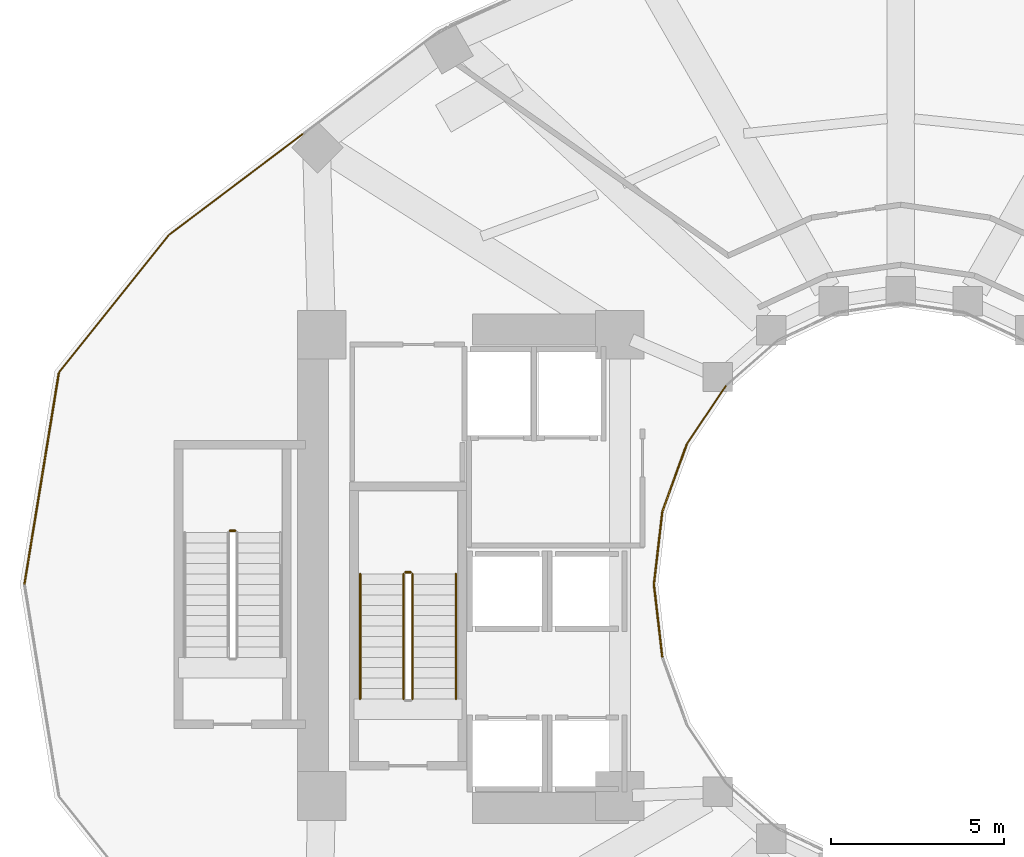
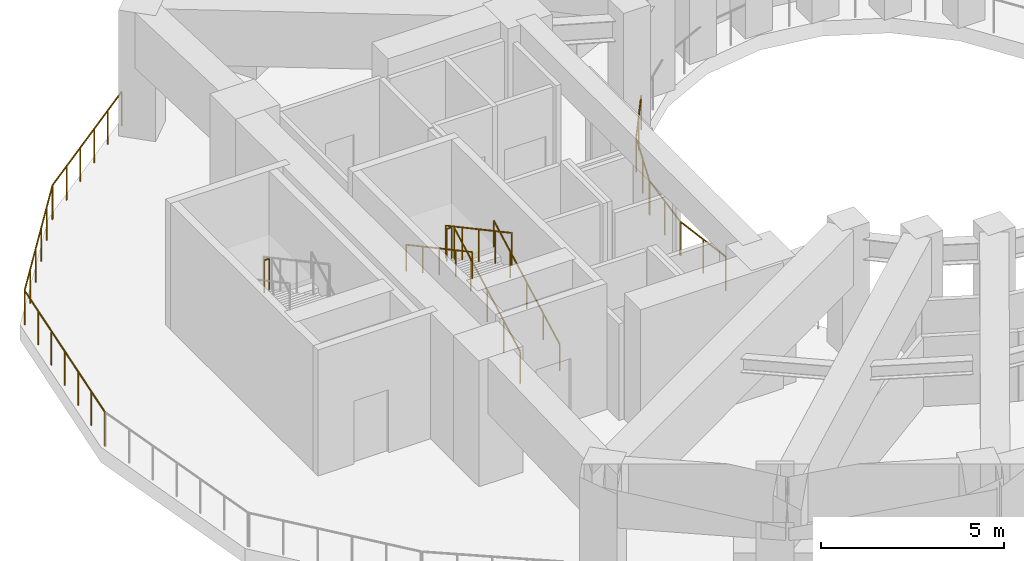
# One storey, part 7 of 10: 13 railings.
"""IFC4 building model written with IfcOpenShell, lengths in metres."""

from ifc_helpers import new_model, si_unit, direction, frame, origin, origin_2d, place, context, subcontext, project, spatial, circle, extrude, material, type_object, element, save


model = new_model("IFC4")

# Units and contexts
model_context = context("Model", 3, precision=1e-05, world=origin(), true_north=direction((0.0, 1.0)))
body_context = subcontext(model_context, "Body", "Model", "MODEL_VIEW")
ifc_project = project(units=[si_unit("LENGTHUNIT", "METRE"), si_unit("AREAUNIT", "SQUARE_METRE"), si_unit("VOLUMEUNIT", "CUBIC_METRE"), si_unit("PLANEANGLEUNIT", "RADIAN"), si_unit("MASSUNIT", "GRAM", prefix="KILO")], contexts=[model_context])

# Site, building, storey
site_placement = place(None, origin())
site = spatial("IfcSite", under=ifc_project, at=site_placement, CompositionType="ELEMENT")
building_placement = place(site_placement, origin())
building = spatial("IfcBuilding", under=site, at=building_placement, Name="Solvane Sanctuary Tower", CompositionType="ELEMENT")
storey_placement = place(building_placement, frame((0.0, 0.0, 69.0)))
storey = spatial("IfcBuildingStorey", under=building, at=storey_placement, Name="L20", CompositionType="ELEMENT", Elevation=69.0)

# Railings
ifc_material = material(Name="Architectural Stainless Steel 316", Category="steel")
railing_type_1 = type_object("IfcRailingType", Name="Railing GR-BALC-1150", PredefinedType="BALUSTRADE", material=ifc_material)
railing_1_placement = place(storey_placement, frame((14.754638671875, 35.989990234375, 0.0)))
element("IfcRailing", 1, at=railing_1_placement, inside=storey, type_object=railing_type_1, Name="L20 Open Void-Portal Perimeter Balustrade 09", PredefinedType="BALUSTRADE", context=body_context, shape_type="SweptSolid", body=[
    extrude(circle(Radius=0.02392578125, at=origin_2d()), frame((0.0, 0.0, 1.1259765625), z_axis=(-0.798476908887, -0.602025436318, 0.0), x_axis=(0.602025436318, -0.798476908887, 0.0)), (0.0, 0.0, 1.0), 4.81689453125),
    extrude(circle(Radius=0.02099609375, at=origin_2d()), origin(), (0.0, 0.0, 1.0), 1.101806640625),
    extrude(circle(Radius=0.02099609375, at=origin_2d()), frame((-0.769287109375, -0.580078125, 0.0)), (0.0, 0.0, 1.0), 1.101806640625),
    extrude(circle(Radius=0.02099609375, at=origin_2d()), frame((-1.53857421875, -1.159912109375, 0.0)), (0.0, 0.0, 1.0), 1.101806640625),
    extrude(circle(Radius=0.02099609375, at=origin_2d()), frame((-2.3076171875, -1.739990234375, 0.0)), (0.0, 0.0, 1.0), 1.101806640625),
    extrude(circle(Radius=0.02099609375, at=origin_2d()), frame((-3.076904296875, -2.31982421875, 0.0)), (0.0, 0.0, 1.0), 1.101806640625),
    extrude(circle(Radius=0.02099609375, at=origin_2d()), frame((-3.84619140625, -2.89990234375, 0.0)), (0.0, 0.0, 1.0), 1.101806640625),
])
railing_2_placement = place(storey_placement, frame((10.8798828125, 33.0625, 0.0)))
element("IfcRailing", 2, at=railing_2_placement, inside=storey, type_object=railing_type_1, Name="L20 Open Void-Portal Perimeter Balustrade 10", PredefinedType="BALUSTRADE", context=body_context, shape_type="SweptSolid", body=[
    extrude(circle(Radius=0.02392578125, at=origin_2d()), frame((0.0, 0.0, 1.1259765625), z_axis=(-0.624458517419, -0.781057974815, 0.0), x_axis=(0.781057974815, -0.624458517419, 0.0)), (0.0, 0.0, 1.0), 5.03564453125),
    extrude(circle(Radius=0.02099609375, at=origin_2d()), origin(), (0.0, 0.0, 1.0), 1.101806640625),
    extrude(circle(Radius=0.02099609375, at=origin_2d()), frame((-0.62890625, -0.78662109375, 0.0)), (0.0, 0.0, 1.0), 1.101806640625),
    extrude(circle(Radius=0.02099609375, at=origin_2d()), frame((-1.2578125, -1.5732421875, 0.0)), (0.0, 0.0, 1.0), 1.101806640625),
    extrude(circle(Radius=0.02099609375, at=origin_2d()), frame((-1.88671875, -2.35986328125, 0.0)), (0.0, 0.0, 1.0), 1.101806640625),
    extrude(circle(Radius=0.02099609375, at=origin_2d()), frame((-2.515625, -3.146484375, 0.0)), (0.0, 0.0, 1.0), 1.101806640625),
    extrude(circle(Radius=0.02099609375, at=origin_2d()), frame((-3.14453125, -3.93310546875, 0.0)), (0.0, 0.0, 1.0), 1.101806640625),
])
railing_3_placement = place(storey_placement, frame((7.7197265625, 29.09423828125, 0.0)))
element("IfcRailing", 3, at=railing_3_placement, inside=storey, type_object=railing_type_1, Name="L20 Open Void-Portal Perimeter Balustrade 11", PredefinedType="BALUSTRADE", context=body_context, shape_type="SweptSolid", body=[
    extrude(circle(Radius=0.02392578125, at=origin_2d()), frame((0.0, 0.0, 1.1259765625), z_axis=(-0.160776256298, -0.986990879092, 0.0), x_axis=(0.986990879092, -0.160776256298, 0.0)), (0.0, 0.0, 1.0), 6.154541015625),
    extrude(circle(Radius=0.02099609375, at=origin_2d()), origin(), (0.0, 0.0, 1.0), 1.101806640625),
    extrude(circle(Radius=0.02099609375, at=origin_2d()), frame((-0.1650390625, -1.012451171875, 0.0)), (0.0, 0.0, 1.0), 1.101806640625),
    extrude(circle(Radius=0.02099609375, at=origin_2d()), frame((-0.329833984375, -2.02490234375, 0.0)), (0.0, 0.0, 1.0), 1.101806640625),
    extrude(circle(Radius=0.02099609375, at=origin_2d()), frame((-0.49462890625, -3.037109375, 0.0)), (0.0, 0.0, 1.0), 1.101806640625),
    extrude(circle(Radius=0.02099609375, at=origin_2d()), frame((-0.65966796875, -4.049560546875, 0.0)), (0.0, 0.0, 1.0), 1.101806640625),
    extrude(circle(Radius=0.02099609375, at=origin_2d()), frame((-0.82470703125, -5.06201171875, 0.0)), (0.0, 0.0, 1.0), 1.101806640625),
    extrude(circle(Radius=0.02099609375, at=origin_2d()), frame((-0.989501953125, -6.074462890625, 0.0)), (0.0, 0.0, 1.0), 1.101806640625),
])
railing_4_placement = place(storey_placement, frame((17.919921875, 19.699951171875, 0.16162109375)))
element("IfcRailing", 4, at=railing_4_placement, inside=storey, type_object=railing_type_1, Name="L20 ST-1 stair guard 1", PredefinedType="BALUSTRADE", context=body_context, shape_type="SweptSolid", body=[
    extrude(circle(Radius=0.02392578125, at=origin_2d()), frame((0.0, 0.0, 1.076171875), z_axis=(0.0, 0.880474934443, 0.474092701714), x_axis=(-1.0, 0.0, 0.0)), (0.0, 0.0, 1.0), 4.0888671875),
    extrude(circle(Radius=0.02099609375, at=origin_2d()), origin(), (0.0, 0.0, 1.0), 1.052001953125),
    extrude(circle(Radius=0.02099609375, at=origin_2d()), frame((0.0, 0.89990234375, 0.484619140625)), (0.0, 0.0, 1.0), 1.052001953125),
    extrude(circle(Radius=0.02099609375, at=origin_2d()), frame((0.0, 1.800048828125, 0.96923828125)), (0.0, 0.0, 1.0), 1.052001953125),
    extrude(circle(Radius=0.02099609375, at=origin_2d()), frame((0.0, 2.7001953125, 1.453857421875)), (0.0, 0.0, 1.0), 1.052001953125),
    extrude(circle(Radius=0.02099609375, at=origin_2d()), frame((0.0, 3.60009765625, 1.9384765625)), (0.0, 0.0, 1.0), 1.052001953125),
])
railing_5_placement = place(storey_placement, frame((17.8701171875, 23.35009765625, 2.10009765625)))
element("IfcRailing", 5, at=railing_5_placement, inside=storey, type_object=railing_type_1, Name="L20 ST-1 stair guard 2", PredefinedType="BALUSTRADE", context=body_context, shape_type="SweptSolid", body=[
    extrude(circle(Radius=0.02392578125, at=origin_2d()), frame((0.0, 0.0, 1.076171875), z_axis=(-1.0, 0.0, 0.0), x_axis=(0.0, -1.0, 0.0)), (0.0, 0.0, 1.0), 0.16015625),
    extrude(circle(Radius=0.02099609375, at=origin_2d()), origin(), (0.0, 0.0, 1.0), 1.052001953125),
    extrude(circle(Radius=0.02099609375, at=origin_2d()), frame((-0.16015625, 0.0, 0.0)), (0.0, 0.0, 1.0), 1.052001953125),
])
railing_6_placement = place(storey_placement, frame((17.659912109375, 23.300048828125, 2.261474609375)))
element("IfcRailing", 6, at=railing_6_placement, inside=storey, type_object=railing_type_1, Name="L20 ST-1 stair guard 3", PredefinedType="BALUSTRADE", context=body_context, shape_type="SweptSolid", body=[
    extrude(circle(Radius=0.02392578125, at=origin_2d()), frame((0.0, 0.0, 1.076171875), z_axis=(0.0, -0.880474934443, 0.474092701714), x_axis=(1.0, 0.0, 0.0)), (0.0, 0.0, 1.0), 4.0888671875),
    extrude(circle(Radius=0.02099609375, at=origin_2d()), origin(), (0.0, 0.0, 1.0), 1.052001953125),
    extrude(circle(Radius=0.02099609375, at=origin_2d()), frame((0.0, -0.89990234375, 0.484619140625)), (0.0, 0.0, 1.0), 1.052001953125),
    extrude(circle(Radius=0.02099609375, at=origin_2d()), frame((0.0, -1.800048828125, 0.96923828125)), (0.0, 0.0, 1.0), 1.052001953125),
    extrude(circle(Radius=0.02099609375, at=origin_2d()), frame((0.0, -2.7001953125, 1.453857421875)), (0.0, 0.0, 1.0), 1.052001953125),
    extrude(circle(Radius=0.02099609375, at=origin_2d()), frame((0.0, -3.60009765625, 1.9384765625)), (0.0, 0.0, 1.0), 1.052001953125),
])
railing_7_placement = place(storey_placement, frame((12.81005859375, 24.550048828125, 2.10009765625)))
element("IfcRailing", 7, at=railing_7_placement, inside=storey, type_object=railing_type_1, Name="L20 ST-3 stair guard 2", PredefinedType="BALUSTRADE", context=body_context, shape_type="SweptSolid", body=[
    extrude(circle(Radius=0.02392578125, at=origin_2d()), frame((0.0, 0.0, 1.076171875), z_axis=(-1.0, 0.0, 0.0), x_axis=(0.0, -1.0, 0.0)), (0.0, 0.0, 1.0), 0.16015625),
    extrude(circle(Radius=0.02099609375, at=origin_2d()), origin(), (0.0, 0.0, 1.0), 1.052001953125),
    extrude(circle(Radius=0.02099609375, at=origin_2d()), frame((-0.16015625, 0.0, 0.0)), (0.0, 0.0, 1.0), 1.052001953125),
])
railing_type_2 = type_object("IfcRailingType", Name="Railing GR-WELL-1150", PredefinedType="GUARDRAIL", material=ifc_material)
railing_8_placement = place(storey_placement, frame((26.9541015625, 28.72509765625, 0.0)))
element("IfcRailing", 8, at=railing_8_placement, inside=storey, type_object=railing_type_2, Name="L20 Open Refuge Light-Well Guardrail 09", PredefinedType="GUARDRAIL", context=body_context, shape_type="SweptSolid", body=[
    extrude(circle(Radius=0.02392578125, at=origin_2d()), frame((0.0, 0.0, 1.1259765625), z_axis=(-0.558155157445, -0.829736596889, 0.0), x_axis=(0.829736596889, -0.558155157445, 0.0)), (0.0, 0.0, 1.0), 1.98681640625),
    extrude(circle(Radius=0.02099609375, at=origin_2d()), origin(), (0.0, 0.0, 1.0), 1.101806640625),
    extrude(circle(Radius=0.02099609375, at=origin_2d()), frame((-0.554443359375, -0.82421875, 0.0)), (0.0, 0.0, 1.0), 1.101806640625),
    extrude(circle(Radius=0.02099609375, at=origin_2d()), frame((-1.10888671875, -1.6484375, 0.0)), (0.0, 0.0, 1.0), 1.101806640625),
])
railing_9_placement = place(storey_placement, frame((25.8271484375, 27.041259765625, 0.0)))
element("IfcRailing", 9, at=railing_9_placement, inside=storey, type_object=railing_type_2, Name="L20 Open Refuge Light-Well Guardrail 10", PredefinedType="GUARDRAIL", context=body_context, shape_type="SweptSolid", body=[
    extrude(circle(Radius=0.02392578125, at=origin_2d()), frame((0.0, 0.0, 1.1259765625), z_axis=(-0.341416925197, -0.93991195502, 0.0), x_axis=(0.93991195502, -0.341416925197, 0.0)), (0.0, 0.0, 1.0), 2.043701171875),
    extrude(circle(Radius=0.02099609375, at=origin_2d()), origin(), (0.0, 0.0, 1.0), 1.101806640625),
    extrude(circle(Radius=0.02099609375, at=origin_2d()), frame((-0.348876953125, -0.96044921875, 0.0)), (0.0, 0.0, 1.0), 1.101806640625),
    extrude(circle(Radius=0.02099609375, at=origin_2d()), frame((-0.69775390625, -1.9208984375, 0.0)), (0.0, 0.0, 1.0), 1.101806640625),
])
railing_10_placement = place(storey_placement, frame((25.120361328125, 25.081787109375, 0.0)))
element("IfcRailing", 10, at=railing_10_placement, inside=storey, type_object=railing_type_2, Name="L20 Open Refuge Light-Well Guardrail 11", PredefinedType="GUARDRAIL", context=body_context, shape_type="SweptSolid", body=[
    extrude(circle(Radius=0.02392578125, at=origin_2d()), frame((0.0, 0.0, 1.1259765625), z_axis=(-0.114691080618, -0.993401205972, 0.0), x_axis=(0.993401205972, -0.114691080618, 0.0)), (0.0, 0.0, 1.0), 2.075439453125),
    extrude(circle(Radius=0.02099609375, at=origin_2d()), origin(), (0.0, 0.0, 1.0), 1.101806640625),
    extrude(circle(Radius=0.02099609375, at=origin_2d()), frame((-0.119140625, -1.03076171875, 0.0)), (0.0, 0.0, 1.0), 1.101806640625),
    extrude(circle(Radius=0.02099609375, at=origin_2d()), frame((-0.238037109375, -2.061767578125, 0.0)), (0.0, 0.0, 1.0), 1.101806640625),
])
railing_11_placement = place(storey_placement, frame((24.88232421875, 22.97998046875, 0.0)))
element("IfcRailing", 11, at=railing_11_placement, inside=storey, type_object=railing_type_2, Name="L20 Open Refuge Light-Well Guardrail 12", PredefinedType="GUARDRAIL", context=body_context, shape_type="SweptSolid", body=[
    extrude(circle(Radius=0.02392578125, at=origin_2d()), frame((0.0, 0.0, 1.1259765625), z_axis=(0.114691080618, -0.993401205972, 0.0), x_axis=(0.993401205972, 0.114691080618, 0.0)), (0.0, 0.0, 1.0), 2.075439453125),
    extrude(circle(Radius=0.02099609375, at=origin_2d()), origin(), (0.0, 0.0, 1.0), 1.101806640625),
    extrude(circle(Radius=0.02099609375, at=origin_2d()), frame((0.119140625, -1.03076171875, 0.0)), (0.0, 0.0, 1.0), 1.101806640625),
    extrude(circle(Radius=0.02099609375, at=origin_2d()), frame((0.238037109375, -2.061767578125, 0.0)), (0.0, 0.0, 1.0), 1.101806640625),
])
railing_type_3 = type_object("IfcRailingType", Name="Railing HR-STAIR-920", PredefinedType="HANDRAIL", material=ifc_material)
railing_12_placement = place(storey_placement, frame((19.169921875, 19.699951171875, 0.16162109375)))
element("IfcRailing", 12, at=railing_12_placement, inside=storey, type_object=railing_type_3, Name="L20 ST-1 stair handrail 1", PredefinedType="HANDRAIL", context=body_context, shape_type="SweptSolid", body=[
    extrude(circle(Radius=0.02392578125, at=origin_2d()), frame((0.0, 0.0, 0.8759765625), z_axis=(0.0, 0.880474934443, 0.474092701714), x_axis=(-1.0, 0.0, 0.0)), (0.0, 0.0, 1.0), 4.0888671875),
    extrude(circle(Radius=0.02099609375, at=origin_2d()), origin(), (0.0, 0.0, 1.0), 0.851806640625),
    extrude(circle(Radius=0.02099609375, at=origin_2d()), frame((0.0, 0.89990234375, 0.484619140625)), (0.0, 0.0, 1.0), 0.851806640625),
    extrude(circle(Radius=0.02099609375, at=origin_2d()), frame((0.0, 1.800048828125, 0.96923828125)), (0.0, 0.0, 1.0), 0.851806640625),
    extrude(circle(Radius=0.02099609375, at=origin_2d()), frame((0.0, 2.7001953125, 1.453857421875)), (0.0, 0.0, 1.0), 0.851806640625),
    extrude(circle(Radius=0.02099609375, at=origin_2d()), frame((0.0, 3.60009765625, 1.9384765625)), (0.0, 0.0, 1.0), 0.851806640625),
])
railing_13_placement = place(storey_placement, frame((16.409912109375, 23.300048828125, 2.261474609375)))
element("IfcRailing", 13, at=railing_13_placement, inside=storey, type_object=railing_type_3, Name="L20 ST-1 stair handrail 2", PredefinedType="HANDRAIL", context=body_context, shape_type="SweptSolid", body=[
    extrude(circle(Radius=0.02392578125, at=origin_2d()), frame((0.0, 0.0, 0.8759765625), z_axis=(0.0, -0.880474934443, 0.474092701714), x_axis=(1.0, 0.0, 0.0)), (0.0, 0.0, 1.0), 4.0888671875),
    extrude(circle(Radius=0.02099609375, at=origin_2d()), origin(), (0.0, 0.0, 1.0), 0.851806640625),
    extrude(circle(Radius=0.02099609375, at=origin_2d()), frame((0.0, -0.89990234375, 0.484619140625)), (0.0, 0.0, 1.0), 0.851806640625),
    extrude(circle(Radius=0.02099609375, at=origin_2d()), frame((0.0, -1.800048828125, 0.96923828125)), (0.0, 0.0, 1.0), 0.851806640625),
    extrude(circle(Radius=0.02099609375, at=origin_2d()), frame((0.0, -2.7001953125, 1.453857421875)), (0.0, 0.0, 1.0), 0.851806640625),
    extrude(circle(Radius=0.02099609375, at=origin_2d()), frame((0.0, -3.60009765625, 1.9384765625)), (0.0, 0.0, 1.0), 0.851806640625),
])

save(model, "model.ifc")
